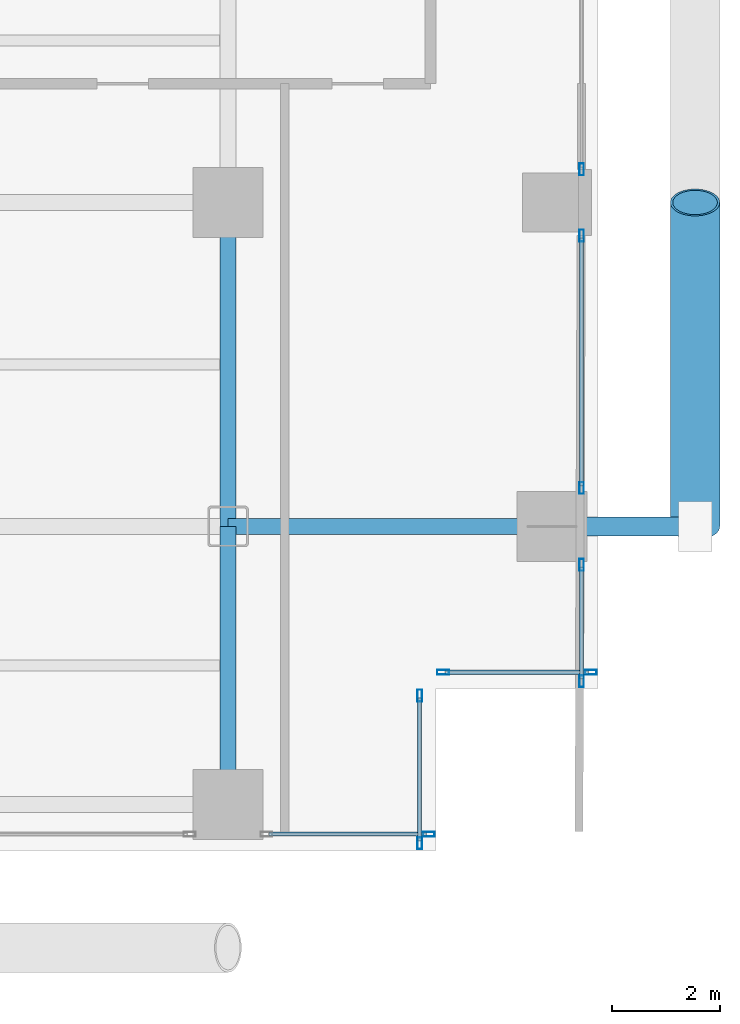
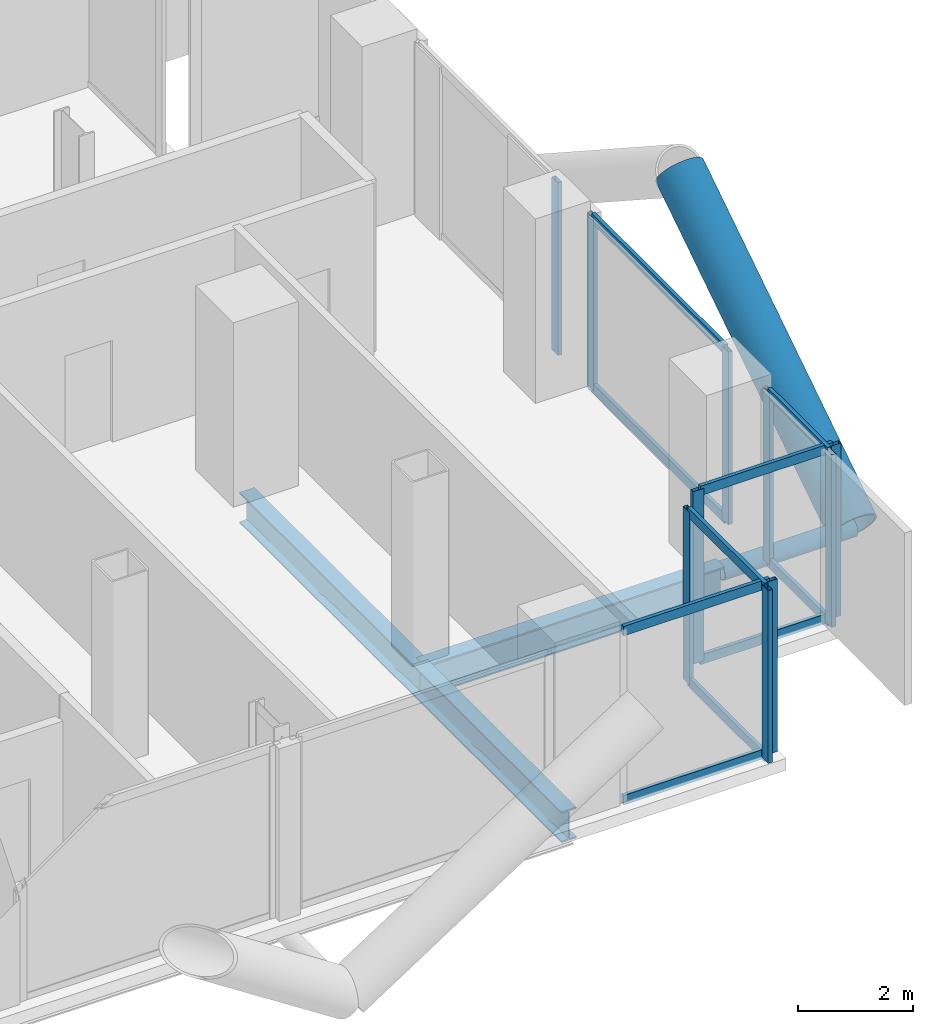
# One storey, part 10 of 25: 22 members, 3 beams, 6 elements without a shape of their own.
"""IFC4 building model written with IfcOpenShell, lengths in metres."""

from ifc_helpers import new_model, si_unit, direction, frame, origin, origin_2d, place, context, subcontext, project, spatial, hollow_rectangle, hollow_circle, i_section, extrude, material, layer, layer_set, material_profile, profile_set, type_object, element, aggregate, save


model = new_model("IFC4")

# Units and contexts
model_context = context("Model", 3, precision=1e-05, world=origin(), true_north=direction((0.0, 1.0)))
body_context = subcontext(model_context, "Body", "Model", "MODEL_VIEW")
ifc_project = project(units=[si_unit("LENGTHUNIT", "METRE"), si_unit("AREAUNIT", "SQUARE_METRE"), si_unit("VOLUMEUNIT", "CUBIC_METRE"), si_unit("PLANEANGLEUNIT", "RADIAN"), si_unit("MASSUNIT", "GRAM", prefix="KILO"), si_unit("THERMODYNAMICTEMPERATUREUNIT", "KELVIN"), si_unit("POWERUNIT", "WATT")], contexts=[model_context])

# Site, building, storey
site_placement = place(None, origin())
site = spatial("IfcSite", under=ifc_project, at=site_placement, CompositionType="ELEMENT")
building_placement = place(site_placement, origin())
building = spatial("IfcBuilding", under=site, at=building_placement, Name="Svarakhadi Broadcast Tower", CompositionType="ELEMENT")
storey_placement = place(building_placement, frame((0.0, 0.0, 63.60009765625)))
storey = spatial("IfcBuildingStorey", under=building, at=storey_placement, Name="L14", CompositionType="ELEMENT", Elevation=63.60009765625)

# Curtain wall, member
ifc_material_1 = material(Name="Anodised Bronze Aluminium AA 6063-T6", Category="aluminium")
ifc_layer = layer(ifc_material_1, 0.219970703125)
ifc_layer_set = layer_set([ifc_layer], Name="Anodised Bronze Aluminium AA 6063-T6")
curtain_wall_type = type_object("IfcCurtainWallType", Name="CW_Sys_02", PredefinedType="NOTDEFINED", material=ifc_layer_set)
curtain_wall_1_placement = place(storey_placement, origin())
curtain_wall_1 = element("IfcCurtainWall", 1, at=curtain_wall_1_placement, inside=storey, type_object=curtain_wall_type, Name="L14 Unitised Facade Curtain Wall 13 Bay 2", PredefinedType="NOTDEFINED")
ifc_material_profile_1 = material_profile(ifc_material_1, hollow_rectangle(XDim=0.0849609375, YDim=0.219970703125, WallThickness=0.006103515625, at=origin_2d()), Name="ALU MULLION 220x85x6")
ifc_profile_set_1 = profile_set([ifc_material_profile_1], Name="Anodised Bronze Aluminium AA 6063-T6")
member_type_1 = type_object("IfcMemberType", Name="CW_Sys_02_Mul", PredefinedType="MULLION", material=ifc_profile_set_1)
member_1_placement = place(storey_placement, frame((53.699951171875, 12.612548828125, 0.0), z_axis=(0.0, 0.0, 1.0), x_axis=(1.0, 0.0, 0.0)))
member_1 = element("IfcMember", 2, at=member_1_placement, type_object=member_type_1, Name="CW-02 mullion 2", PredefinedType="MULLION", context=body_context, shape_type="SweptSolid", body=[
    extrude(hollow_rectangle(XDim=0.0849609375, YDim=0.219970703125, WallThickness=0.006103515625, at=origin_2d()), origin(), (0.0, 0.0, 1.0), 3.64990234375),
])
aggregate(curtain_wall_1, [member_1])

# Curtain wall, members
curtain_wall_2_placement = place(storey_placement, origin())
curtain_wall_2 = element("IfcCurtainWall", 3, at=curtain_wall_2_placement, inside=storey, type_object=curtain_wall_type, Name="L14 Unitised Facade Curtain Wall 13 Bay 3", PredefinedType="NOTDEFINED")
member_2_placement = place(storey_placement, frame((53.699951171875, 11.387451171875, 0.0), z_axis=(0.0, 0.0, 1.0), x_axis=(1.0, 0.0, 0.0)))
member_2 = element("IfcMember", 4, at=member_2_placement, type_object=member_type_1, Name="CW-02 mullion 1", PredefinedType="MULLION", context=body_context, shape_type="SweptSolid", body=[
    extrude(hollow_rectangle(XDim=0.0849609375, YDim=0.219970703125, WallThickness=0.006103515625, at=origin_2d()), origin(), (0.0, 0.0, 1.0), 3.64990234375),
])
member_3_placement = place(storey_placement, frame((53.699951171875, 6.71240234375, 0.0), z_axis=(0.0, 0.0, 1.0), x_axis=(1.0, 0.0, 0.0)))
member_3 = element("IfcMember", 5, at=member_3_placement, type_object=member_type_1, Name="CW-02 mullion 2", PredefinedType="MULLION", context=body_context, shape_type="SweptSolid", body=[
    extrude(hollow_rectangle(XDim=0.0849609375, YDim=0.219970703125, WallThickness=0.006103515625, at=origin_2d()), origin(), (0.0, 0.0, 1.0), 3.64990234375),
])

curtain_wall_3_placement = place(storey_placement, origin())
curtain_wall_3 = element("IfcCurtainWall", 6, at=curtain_wall_3_placement, inside=storey, type_object=curtain_wall_type, Name="L14 Unitised Facade Curtain Wall 13 Bay 4", PredefinedType="NOTDEFINED")
member_4_placement = place(storey_placement, frame((53.699951171875, 5.28759765625, 0.0), z_axis=(0.0, 0.0, 1.0), x_axis=(1.0, 0.0, 0.0)))
member_4 = element("IfcMember", 7, at=member_4_placement, type_object=member_type_1, Name="CW-02 mullion 1", PredefinedType="MULLION", context=body_context, shape_type="SweptSolid", body=[
    extrude(hollow_rectangle(XDim=0.0849609375, YDim=0.219970703125, WallThickness=0.006103515625, at=origin_2d()), origin(), (0.0, 0.0, 1.0), 3.64990234375),
])
member_5_placement = place(storey_placement, frame((53.699951171875, 3.132568359375, 0.0), z_axis=(0.0, 0.0, 1.0), x_axis=(1.0, 0.0, 0.0)))
member_5 = element("IfcMember", 8, at=member_5_placement, type_object=member_type_1, Name="CW-02 mullion 2", PredefinedType="MULLION", context=body_context, shape_type="SweptSolid", body=[
    extrude(hollow_rectangle(XDim=0.0849609375, YDim=0.219970703125, WallThickness=0.006103515625, at=origin_2d()), origin(), (0.0, 0.0, 1.0), 3.64990234375),
])

curtain_wall_4_placement = place(storey_placement, origin())
curtain_wall_4 = element("IfcCurtainWall", 9, at=curtain_wall_4_placement, inside=storey, type_object=curtain_wall_type, Name="L14 Unitised Facade Curtain Wall 14", PredefinedType="NOTDEFINED")
member_6_placement = place(storey_placement, frame((53.867431640625, 3.300048828125, 0.0), z_axis=(0.0, 0.0, 1.0), x_axis=(0.0, -1.0, 0.0)))
member_6 = element("IfcMember", 10, at=member_6_placement, type_object=member_type_1, Name="CW-02 mullion 1", PredefinedType="MULLION", context=body_context, shape_type="SweptSolid", body=[
    extrude(hollow_rectangle(XDim=0.0849609375, YDim=0.219970703125, WallThickness=0.006103515625, at=origin_2d()), origin(), (0.0, 0.0, 1.0), 3.64990234375),
])
member_7_placement = place(storey_placement, frame((51.132568359375, 3.300048828125, 0.0), z_axis=(0.0, 0.0, 1.0), x_axis=(0.0, -1.0, 0.0)))
member_7 = element("IfcMember", 11, at=member_7_placement, type_object=member_type_1, Name="CW-02 mullion 2", PredefinedType="MULLION", context=body_context, shape_type="SweptSolid", body=[
    extrude(hollow_rectangle(XDim=0.0849609375, YDim=0.219970703125, WallThickness=0.006103515625, at=origin_2d()), origin(), (0.0, 0.0, 1.0), 3.64990234375),
])

curtain_wall_5_placement = place(storey_placement, origin())
curtain_wall_5 = element("IfcCurtainWall", 12, at=curtain_wall_5_placement, inside=storey, type_object=curtain_wall_type, Name="L14 Unitised Facade Curtain Wall 15", PredefinedType="NOTDEFINED")
member_8_placement = place(storey_placement, frame((50.699951171875, 2.867431640625, 0.0), z_axis=(0.0, 0.0, 1.0), x_axis=(1.0, 0.0, 0.0)))
member_8 = element("IfcMember", 13, at=member_8_placement, type_object=member_type_1, Name="CW-02 mullion 1", PredefinedType="MULLION", context=body_context, shape_type="SweptSolid", body=[
    extrude(hollow_rectangle(XDim=0.0849609375, YDim=0.219970703125, WallThickness=0.006103515625, at=origin_2d()), origin(), (0.0, 0.0, 1.0), 3.64990234375),
])
member_9_placement = place(storey_placement, frame((50.699951171875, 0.132568359375, 0.0), z_axis=(0.0, 0.0, 1.0), x_axis=(1.0, 0.0, 0.0)))
member_9 = element("IfcMember", 14, at=member_9_placement, type_object=member_type_1, Name="CW-02 mullion 2", PredefinedType="MULLION", context=body_context, shape_type="SweptSolid", body=[
    extrude(hollow_rectangle(XDim=0.0849609375, YDim=0.219970703125, WallThickness=0.006103515625, at=origin_2d()), origin(), (0.0, 0.0, 1.0), 3.64990234375),
])

# Curtain wall, member
curtain_wall_6_placement = place(storey_placement, origin())
curtain_wall_6 = element("IfcCurtainWall", 15, at=curtain_wall_6_placement, inside=storey, type_object=curtain_wall_type, Name="L14 South Curtain Wall 16 Bay 1", PredefinedType="NOTDEFINED")
member_10_placement = place(storey_placement, frame((50.867431640625, 0.300048828125, 0.0), z_axis=(0.0, 0.0, 1.0), x_axis=(0.0, -1.0, 0.0)))
member_10 = element("IfcMember", 16, at=member_10_placement, type_object=member_type_1, Name="CW-02 mullion 1", PredefinedType="MULLION", context=body_context, shape_type="SweptSolid", body=[
    extrude(hollow_rectangle(XDim=0.0849609375, YDim=0.219970703125, WallThickness=0.006103515625, at=origin_2d()), origin(), (0.0, 0.0, 1.0), 3.64990234375),
])

# Member
ifc_material_profile_2 = material_profile(ifc_material_1, hollow_rectangle(XDim=0.074951171875, YDim=0.199951171875, WallThickness=0.0048828125, at=origin_2d()), Name="ALU TRANSOM 200x75x5")
ifc_profile_set_2 = profile_set([ifc_material_profile_2], Name="Anodised Bronze Aluminium AA 6063-T6")
member_type_2 = type_object("IfcMemberType", Name="CW_Sys_02_Trn", PredefinedType="USERDEFINED", material=ifc_profile_set_2)
member_11_placement = place(storey_placement, frame((53.699951171875, 11.344970703125, 0.037353515625), z_axis=(0.0, -1.0, 0.0), x_axis=(1.0, 0.0, 0.0)))
member_11 = element("IfcMember", 17, at=member_11_placement, type_object=member_type_2, Name="CW-02 transom 1.1", ObjectType="TRANSOM", PredefinedType="USERDEFINED", context=body_context, shape_type="SweptSolid", body=[
    extrude(hollow_rectangle(XDim=0.074951171875, YDim=0.199951171875, WallThickness=0.0048828125, at=origin_2d()), origin(), (0.0, 0.0, 1.0), 4.590087890625),
])

member_12_placement = place(storey_placement, frame((53.699951171875, 11.344970703125, 3.6123046875), z_axis=(0.0, -1.0, 0.0), x_axis=(1.0, 0.0, 0.0)))
member_12 = element("IfcMember", 18, at=member_12_placement, type_object=member_type_2, Name="CW-02 transom 1.2", ObjectType="TRANSOM", PredefinedType="USERDEFINED", context=body_context, shape_type="SweptSolid", body=[
    extrude(hollow_rectangle(XDim=0.074951171875, YDim=0.199951171875, WallThickness=0.0048828125, at=origin_2d()), origin(), (0.0, 0.0, 1.0), 4.590087890625),
])

aggregate(curtain_wall_2, [member_2, member_3, member_11, member_12])

member_13_placement = place(storey_placement, frame((53.699951171875, 5.2451171875, 0.037353515625), z_axis=(0.0, -1.0, 0.0), x_axis=(1.0, 0.0, 0.0)))
member_13 = element("IfcMember", 19, at=member_13_placement, type_object=member_type_2, Name="CW-02 transom 1.1", ObjectType="TRANSOM", PredefinedType="USERDEFINED", context=body_context, shape_type="SweptSolid", body=[
    extrude(hollow_rectangle(XDim=0.074951171875, YDim=0.199951171875, WallThickness=0.0048828125, at=origin_2d()), origin(), (0.0, 0.0, 1.0), 2.070068359375),
])

member_14_placement = place(storey_placement, frame((53.699951171875, 5.2451171875, 3.6123046875), z_axis=(0.0, -1.0, 0.0), x_axis=(1.0, 0.0, 0.0)))
member_14 = element("IfcMember", 20, at=member_14_placement, type_object=member_type_2, Name="CW-02 transom 1.2", ObjectType="TRANSOM", PredefinedType="USERDEFINED", context=body_context, shape_type="SweptSolid", body=[
    extrude(hollow_rectangle(XDim=0.074951171875, YDim=0.199951171875, WallThickness=0.0048828125, at=origin_2d()), origin(), (0.0, 0.0, 1.0), 2.070068359375),
])

aggregate(curtain_wall_3, [member_4, member_5, member_13, member_14])

member_15_placement = place(storey_placement, frame((53.824951171875, 3.300048828125, 0.037353515625), z_axis=(-1.0, 0.0, 0.0), x_axis=(0.0, -1.0, 0.0)))
member_15 = element("IfcMember", 21, at=member_15_placement, type_object=member_type_2, Name="CW-02 transom 1.1", ObjectType="TRANSOM", PredefinedType="USERDEFINED", context=body_context, shape_type="SweptSolid", body=[
    extrude(hollow_rectangle(XDim=0.074951171875, YDim=0.199951171875, WallThickness=0.0048828125, at=origin_2d()), origin(), (0.0, 0.0, 1.0), 2.64990234375),
])

member_16_placement = place(storey_placement, frame((53.824951171875, 3.300048828125, 3.6123046875), z_axis=(-1.0, 0.0, 0.0), x_axis=(0.0, -1.0, 0.0)))
member_16 = element("IfcMember", 22, at=member_16_placement, type_object=member_type_2, Name="CW-02 transom 1.2", ObjectType="TRANSOM", PredefinedType="USERDEFINED", context=body_context, shape_type="SweptSolid", body=[
    extrude(hollow_rectangle(XDim=0.074951171875, YDim=0.199951171875, WallThickness=0.0048828125, at=origin_2d()), origin(), (0.0, 0.0, 1.0), 2.64990234375),
])

aggregate(curtain_wall_4, [member_6, member_7, member_15, member_16])

member_17_placement = place(storey_placement, frame((50.699951171875, 2.824951171875, 0.037353515625), z_axis=(0.0, -1.0, 0.0), x_axis=(1.0, 0.0, 0.0)))
member_17 = element("IfcMember", 23, at=member_17_placement, type_object=member_type_2, Name="CW-02 transom 1.1", ObjectType="TRANSOM", PredefinedType="USERDEFINED", context=body_context, shape_type="SweptSolid", body=[
    extrude(hollow_rectangle(XDim=0.074951171875, YDim=0.199951171875, WallThickness=0.0048828125, at=origin_2d()), origin(), (0.0, 0.0, 1.0), 2.64990234375),
])

member_18_placement = place(storey_placement, frame((50.699951171875, 2.824951171875, 3.6123046875), z_axis=(0.0, -1.0, 0.0), x_axis=(1.0, 0.0, 0.0)))
member_18 = element("IfcMember", 24, at=member_18_placement, type_object=member_type_2, Name="CW-02 transom 1.2", ObjectType="TRANSOM", PredefinedType="USERDEFINED", context=body_context, shape_type="SweptSolid", body=[
    extrude(hollow_rectangle(XDim=0.074951171875, YDim=0.199951171875, WallThickness=0.0048828125, at=origin_2d()), origin(), (0.0, 0.0, 1.0), 2.64990234375),
])

aggregate(curtain_wall_5, [member_8, member_9, member_17, member_18])

member_19_placement = place(storey_placement, frame((50.824951171875, 0.300048828125, 0.037353515625), z_axis=(-1.0, 0.0, 0.0), x_axis=(0.0, -1.0, 0.0)))
member_19 = element("IfcMember", 25, at=member_19_placement, type_object=member_type_2, Name="CW-02 transom 1.1", ObjectType="TRANSOM", PredefinedType="USERDEFINED", context=body_context, shape_type="SweptSolid", body=[
    extrude(hollow_rectangle(XDim=0.074951171875, YDim=0.199951171875, WallThickness=0.0048828125, at=origin_2d()), origin(), (0.0, 0.0, 1.0), 2.919921875),
])

member_20_placement = place(storey_placement, frame((50.824951171875, 0.300048828125, 3.6123046875), z_axis=(-1.0, 0.0, 0.0), x_axis=(0.0, -1.0, 0.0)))
member_20 = element("IfcMember", 26, at=member_20_placement, type_object=member_type_2, Name="CW-02 transom 1.2", ObjectType="TRANSOM", PredefinedType="USERDEFINED", context=body_context, shape_type="SweptSolid", body=[
    extrude(hollow_rectangle(XDim=0.074951171875, YDim=0.199951171875, WallThickness=0.0048828125, at=origin_2d()), origin(), (0.0, 0.0, 1.0), 2.919921875),
])

aggregate(curtain_wall_6, [member_10, member_19, member_20])

# Members
ifc_material_2 = material(Name="Steel S460ML (IS 2062 E450BR)", Category="steel")
ifc_material_profile_3 = material_profile(ifc_material_2, hollow_circle(Radius=0.45703125, WallThickness=0.044921875, at=origin_2d()), Name="CHS 914x45")
ifc_profile_set_3 = profile_set([ifc_material_profile_3], Name="Steel S460ML (IS 2062 E450BR)")
member_type_3 = type_object("IfcMemberType", Name="Exo_Brace_CHS914", PredefinedType="BRACE", material=ifc_profile_set_3)
member_21_placement = place(storey_placement, frame((55.800048828125, 6.0, -0.427978515625), z_axis=(0.0, 0.838434262763, 0.545002740383), x_axis=(-1.0, 0.0, 0.0)))
element("IfcMember", 27, at=member_21_placement, inside=storey, type_object=member_type_3, Name="L14 Exposed Bronze Exoskeleton Diagonal E08", PredefinedType="BRACE", context=body_context, shape_type="SweptSolid", body=[
    extrude(hollow_circle(Radius=0.45703125, WallThickness=0.044921875, at=origin_2d()), origin(), (0.0, 0.0, 1.0), 7.15625),
])
ifc_material_profile_4 = material_profile(ifc_material_2, hollow_circle(Radius=0.177734375, WallThickness=0.02001953125, at=origin_2d()), Name="CHS 355.6x20")
ifc_profile_set_4 = profile_set([ifc_material_profile_4], Name="Steel S460ML (IS 2062 E450BR)")
member_type_4 = type_object("IfcMemberType", Name="Exo_Radial_Strut_Z1", PredefinedType="STRUT", material=ifc_profile_set_4)
member_22_placement = place(storey_placement, frame((55.800048828125, 6.0, -0.427978515625), z_axis=(-1.0, 0.0, 0.0), x_axis=(0.0, -1.0, 0.0)))
element("IfcMember", 28, at=member_22_placement, inside=storey, type_object=member_type_4, Name="L14 Exoskeleton Radial Tie Strut E09", PredefinedType="STRUT", context=body_context, shape_type="SweptSolid", body=[
    extrude(hollow_circle(Radius=0.177734375, WallThickness=0.02001953125, at=origin_2d()), origin(), (0.0, 0.0, 1.0), 2.650146484375),
])

# Beams
ifc_material_3 = material(Name="Steel S355J2 (IS 2062 E350C)", Category="steel")
ifc_material_profile_5 = material_profile(ifc_material_3, i_section(OverallWidth=0.300048828125, OverallDepth=0.64990234375, WebThickness=0.01611328125, FlangeThickness=0.031005859375, FilletRadius=0.027099609375, at=origin_2d()), Name="WPB 650x300x225")
ifc_profile_set_5 = profile_set([ifc_material_profile_5], Name="Steel S355J2 (IS 2062 E350C)")
beam_type = type_object("IfcBeamType", Name="Girder_WPB650", PredefinedType="USERDEFINED", material=ifc_profile_set_5)
beam_1_placement = place(storey_placement, frame((47.14990234375, 6.0, -0.5751953125), z_axis=(1.0, 0.0, 0.0), x_axis=(0.0, 1.0, 0.0)))
element("IfcBeam", 29, at=beam_1_placement, inside=storey, type_object=beam_type, Name="L14 Primary E-W Girder G018", ObjectType="GIRDER", PredefinedType="USERDEFINED", context=body_context, shape_type="SweptSolid", body=[
    extrude(i_section(OverallWidth=0.300048828125, OverallDepth=0.64990234375, WebThickness=0.01611328125, FlangeThickness=0.031005859375, FilletRadius=0.027099609375, at=origin_2d()), origin(), (0.0, 0.0, 1.0), 6.0),
])
beam_2_placement = place(storey_placement, frame((47.14990234375, 0.85009765625, -0.5751953125), z_axis=(0.0, 1.0, 0.0), x_axis=(-1.0, 0.0, 0.0)))
element("IfcBeam", 30, at=beam_2_placement, inside=storey, type_object=beam_type, Name="L14 Primary N-S Girder G082", ObjectType="GIRDER", PredefinedType="USERDEFINED", context=body_context, shape_type="SweptSolid", body=[
    extrude(i_section(OverallWidth=0.300048828125, OverallDepth=0.64990234375, WebThickness=0.01611328125, FlangeThickness=0.031005859375, FilletRadius=0.027099609375, at=origin_2d()), origin(), (0.0, 0.0, 1.0), 5.14990234375),
])
beam_3_placement = place(storey_placement, frame((47.14990234375, 6.0, -0.5751953125), z_axis=(0.0, 1.0, 0.0), x_axis=(-1.0, 0.0, 0.0)))
element("IfcBeam", 31, at=beam_3_placement, inside=storey, type_object=beam_type, Name="L14 Primary N-S Girder G083", ObjectType="GIRDER", PredefinedType="USERDEFINED", context=body_context, shape_type="SweptSolid", body=[
    extrude(i_section(OverallWidth=0.300048828125, OverallDepth=0.64990234375, WebThickness=0.01611328125, FlangeThickness=0.031005859375, FilletRadius=0.027099609375, at=origin_2d()), origin(), (0.0, 0.0, 1.0), 6.0),
])

save(model, "model.ifc")
